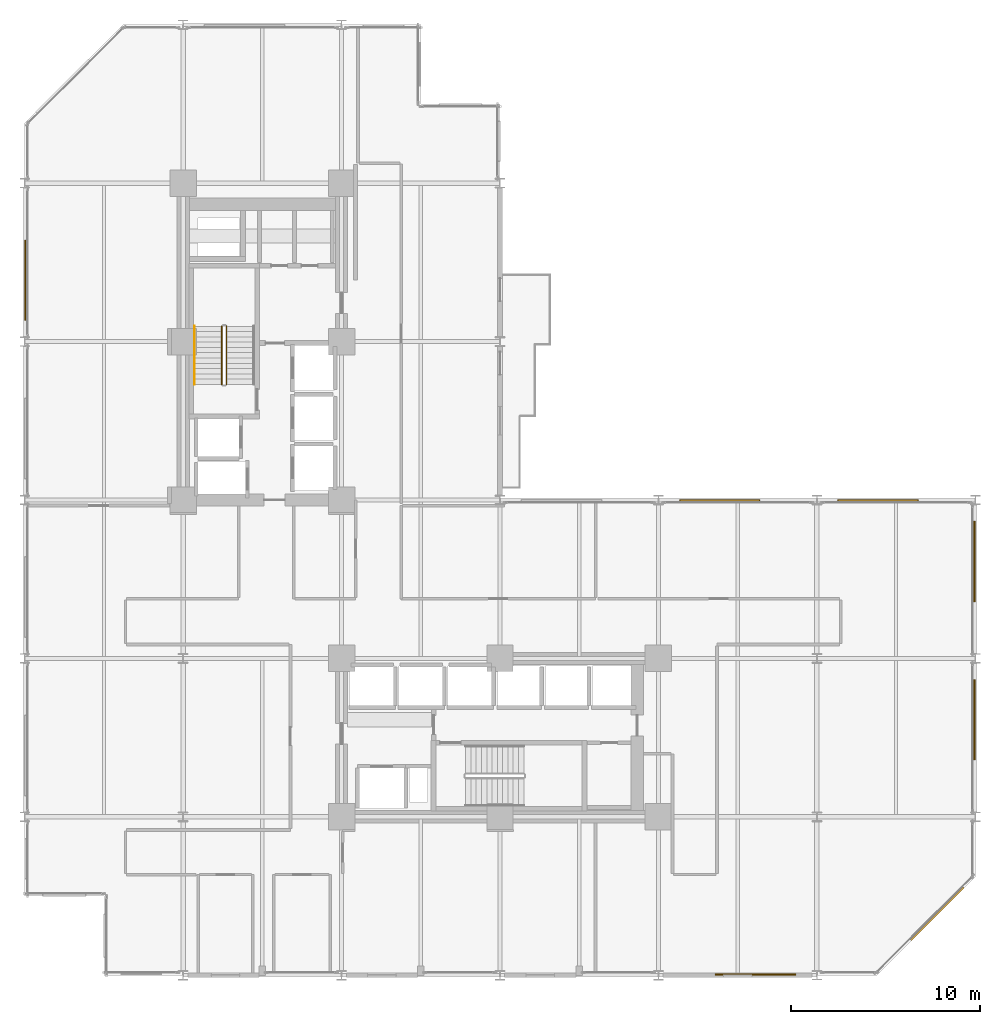
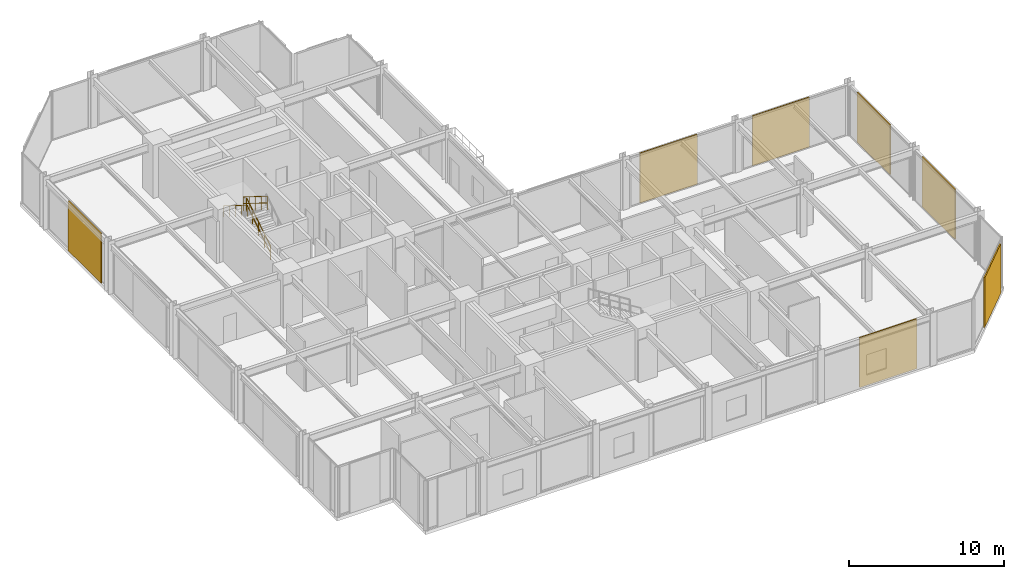
# One storey, part 23 of 24: 7 coverings, 3 railings.
"""IFC4 building model written with IfcOpenShell, lengths in metres."""

from ifc_helpers import new_model, si_unit, direction, frame, origin, origin_2d, place, context, subcontext, project, spatial, rectangle, circle, extrude, material, layer, layer_set, type_object, element, save


model = new_model("IFC4")

# Units and contexts
model_context = context("Model", 3, precision=1e-05, world=origin(), true_north=direction((0.0, 1.0)))
body_context = subcontext(model_context, "Body", "Model", "MODEL_VIEW")
ifc_project = project(units=[si_unit("LENGTHUNIT", "METRE"), si_unit("AREAUNIT", "SQUARE_METRE"), si_unit("VOLUMEUNIT", "CUBIC_METRE"), si_unit("PLANEANGLEUNIT", "RADIAN"), si_unit("MASSUNIT", "GRAM", prefix="KILO")], contexts=[model_context])

# Site, building, storey
site_placement = place(None, origin())
site = spatial("IfcSite", under=ifc_project, at=site_placement, CompositionType="ELEMENT")
building_placement = place(site_placement, origin())
building = spatial("IfcBuilding", under=site, at=building_placement, Name="Nerrivon Quay Data Exchange", CompositionType="ELEMENT")
storey_placement = place(building_placement, frame((0.0, 0.0, 37.39990234375)))
storey = spatial("IfcBuildingStorey", under=building, at=storey_placement, Name="L08", CompositionType="ELEMENT", Elevation=37.39990234375)

# Coverings
ifc_material_1 = material(Name="Architectural terracotta ceramic", Category="masonry")
ifc_layer = layer(ifc_material_1, 0.090087890625)
ifc_layer_set = layer_set([ifc_layer], Name="Architectural terracotta ceramic")
covering_type = type_object("IfcCoveringType", Name="COV-SCR-TERR", PredefinedType="CLADDING", material=ifc_layer_set)
covering_placement = place(storey_placement, frame((48.39208984375, 3.255859375, 0.0), z_axis=(0.0, 0.0, 1.0), x_axis=(-0.707106781187, -0.707106781187, 0.0)))
element("IfcCovering", 1, at=covering_placement, inside=storey, type_object=covering_type, Name="L08 Perforated Terracotta SOLAR SCREEN Cassette", PredefinedType="CLADDING", context=body_context, shape_type="SweptSolid", body=[
    extrude(rectangle(XDim=3.970947265625, YDim=0.090087890625, at=origin_2d()), origin(), (0.0, 0.0, 1.0), 3.925048828125),
])
for number, where, z_axis, x_axis, name in (
    (2, (38.748046875, 0.044921875, 0.0), (0.0, 0.0, 1.0), (-1.0, 0.0, 0.0), "L08 Perforated Terracotta SOLAR SCREEN Cassette"),
    (3, (0.044921875, 36.85205078125, 0.0), (0.0, 0.0, 1.0), (0.0, 1.0, 0.0), "L08 Perforated Terracotta SOLAR SCREEN Cassette"),
    (4, (36.85205078125, 25.155029296875, 0.0), (0.0, 0.0, 1.0), (1.0, 0.0, 0.0), "L08 Perforated Terracotta SOLAR SCREEN Cassette"),
    (5, (45.251953125, 25.155029296875, 0.0), (0.0, 0.0, 1.0), (1.0, 0.0, 0.0), "L08 Perforated Terracotta SOLAR SCREEN Cassette"),
    (6, (50.35498046875, 21.947998046875, 0.0), (0.0, 0.0, 1.0), (0.0, -1.0, 0.0), "L08 Perforated Terracotta SOLAR SCREEN Cassette"),
    (7, (50.35498046875, 13.548095703125, 0.0), (0.0, 0.0, 1.0), (0.0, -1.0, 0.0), "L08 Perforated Terracotta SOLAR SCREEN Cassette"),
):
    element("IfcCovering", number, at=place(storey_placement, frame(where, z_axis=z_axis, x_axis=x_axis)), inside=storey, type_object=covering_type, Name=name, PredefinedType="CLADDING", context=body_context, shape_type="SweptSolid", body=[
        extrude(rectangle(XDim=4.26611328125, YDim=0.090087890625, at=origin_2d()), origin(), (0.0, 0.0, 1.0), 3.925048828125),
    ])

# Railings
ifc_material_2 = material(Name="Steel Grade C350L0 (350 MPa)", Category="steel")
railing_type_1 = type_object("IfcRailingType", Name="RAIL-HAND-HR1", PredefinedType="HANDRAIL", material=ifc_material_2)
railing_1_placement = place(storey_placement, frame((9.0, 34.409912109375, 2.275146484375)))
element("IfcRailing", 8, at=railing_1_placement, inside=storey, type_object=railing_type_1, Name="L08 ST01 stair handrail 2", PredefinedType="HANDRAIL", context=body_context, shape_type="SweptSolid", body=[
    extrude(circle(Radius=0.02392578125, at=origin_2d()), frame((0.0, 0.0, 0.8759765625), z_axis=(0.0, -0.847979421464, 0.530029150871), x_axis=(1.0, 0.0, 0.0)), (0.0, 0.0, 1.0), 3.632080078125),
    extrude(circle(Radius=0.02099609375, at=origin_2d()), origin(), (0.0, 0.0, 1.0), 0.851806640625),
    extrude(circle(Radius=0.02099609375, at=origin_2d()), frame((0.0, -0.77001953125, 0.481201171875)), (0.0, 0.0, 1.0), 0.851806640625),
    extrude(circle(Radius=0.02099609375, at=origin_2d()), frame((0.0, -1.5400390625, 0.96240234375)), (0.0, 0.0, 1.0), 0.851806640625),
    extrude(circle(Radius=0.02099609375, at=origin_2d()), frame((0.0, -2.309814453125, 1.44384765625)), (0.0, 0.0, 1.0), 0.851806640625),
    extrude(circle(Radius=0.02099609375, at=origin_2d()), frame((0.0, -3.079833984375, 1.925048828125)), (0.0, 0.0, 1.0), 0.851806640625),
])
railing_type_2 = type_object("IfcRailingType", Name="RAIL-STAIR-GR1", PredefinedType="BALUSTRADE", material=ifc_material_2)
railing_2_placement = place(storey_placement, frame((10.699951171875, 31.330078125, 0.175048828125)))
element("IfcRailing", 9, at=railing_2_placement, inside=storey, type_object=railing_type_2, Name="L08 ST01 stair guard 1", PredefinedType="BALUSTRADE", context=body_context, shape_type="SweptSolid", body=[
    extrude(circle(Radius=0.02392578125, at=origin_2d()), frame((0.0, 0.0, 1.076171875), z_axis=(0.0, 0.847979421464, 0.530029150871), x_axis=(-1.0, 0.0, 0.0)), (0.0, 0.0, 1.0), 3.632080078125),
    extrude(circle(Radius=0.02392578125, at=origin_2d()), frame((0.0, 0.0, 0.550048828125), z_axis=(0.0, 0.847979421464, 0.530029150871), x_axis=(-1.0, 0.0, 0.0)), (0.0, 0.0, 1.0), 3.632080078125),
    extrude(circle(Radius=0.02099609375, at=origin_2d()), origin(), (0.0, 0.0, 1.0), 1.052001953125),
    extrude(circle(Radius=0.02099609375, at=origin_2d()), frame((0.0, 0.77001953125, 0.481201171875)), (0.0, 0.0, 1.0), 1.052001953125),
    extrude(circle(Radius=0.02099609375, at=origin_2d()), frame((0.0, 1.5400390625, 0.96240234375)), (0.0, 0.0, 1.0), 1.052001953125),
    extrude(circle(Radius=0.02099609375, at=origin_2d()), frame((0.0, 2.309814453125, 1.44384765625)), (0.0, 0.0, 1.0), 1.052001953125),
    extrude(circle(Radius=0.02099609375, at=origin_2d()), frame((0.0, 3.079833984375, 1.925048828125)), (0.0, 0.0, 1.0), 1.052001953125),
])
railing_3_placement = place(storey_placement, frame((10.449951171875, 34.409912109375, 2.275146484375)))
element("IfcRailing", 10, at=railing_3_placement, inside=storey, type_object=railing_type_2, Name="L08 ST01 stair guard 3", PredefinedType="BALUSTRADE", context=body_context, shape_type="SweptSolid", body=[
    extrude(circle(Radius=0.02392578125, at=origin_2d()), frame((0.0, 0.0, 1.076171875), z_axis=(0.0, -0.847979421464, 0.530029150871), x_axis=(1.0, 0.0, 0.0)), (0.0, 0.0, 1.0), 3.632080078125),
    extrude(circle(Radius=0.02392578125, at=origin_2d()), frame((0.0, 0.0, 0.550048828125), z_axis=(0.0, -0.847979421464, 0.530029150871), x_axis=(1.0, 0.0, 0.0)), (0.0, 0.0, 1.0), 3.632080078125),
    extrude(circle(Radius=0.02099609375, at=origin_2d()), origin(), (0.0, 0.0, 1.0), 1.052001953125),
    extrude(circle(Radius=0.02099609375, at=origin_2d()), frame((0.0, -0.77001953125, 0.481201171875)), (0.0, 0.0, 1.0), 1.052001953125),
    extrude(circle(Radius=0.02099609375, at=origin_2d()), frame((0.0, -1.5400390625, 0.96240234375)), (0.0, 0.0, 1.0), 1.052001953125),
    extrude(circle(Radius=0.02099609375, at=origin_2d()), frame((0.0, -2.309814453125, 1.44384765625)), (0.0, 0.0, 1.0), 1.052001953125),
    extrude(circle(Radius=0.02099609375, at=origin_2d()), frame((0.0, -3.079833984375, 1.925048828125)), (0.0, 0.0, 1.0), 1.052001953125),
])

save(model, "model.ifc")
